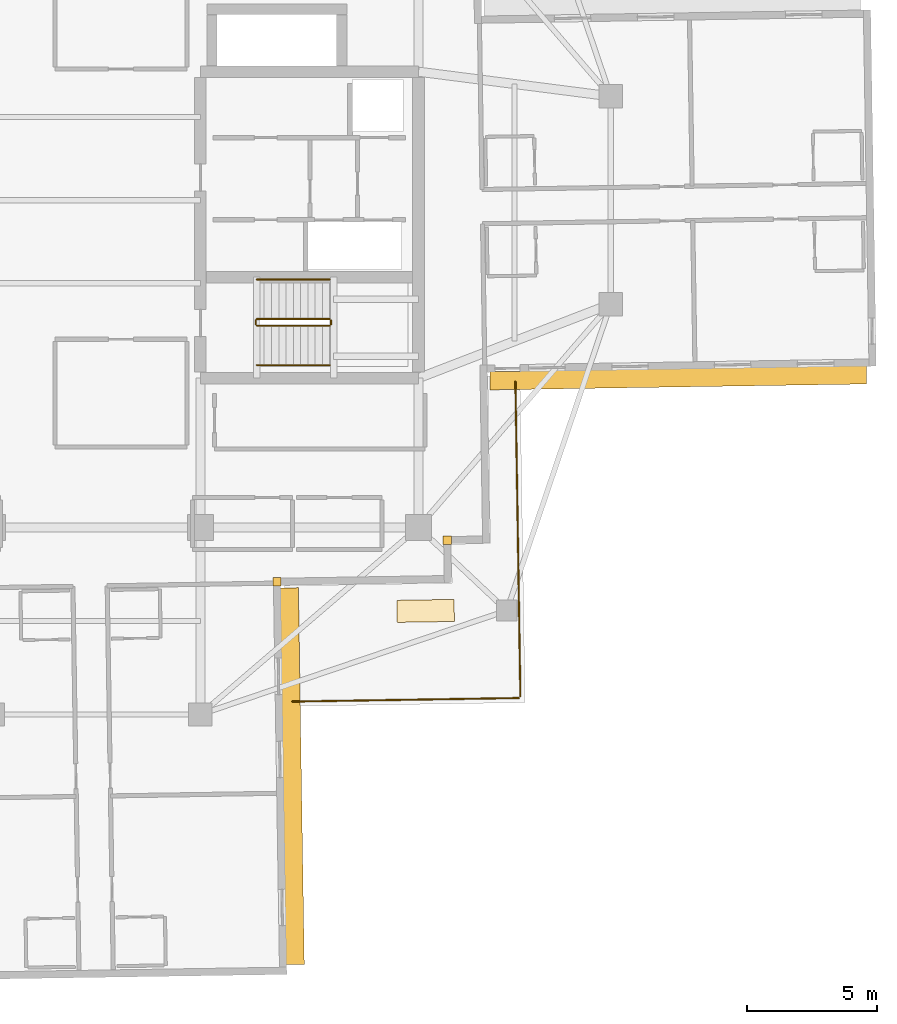
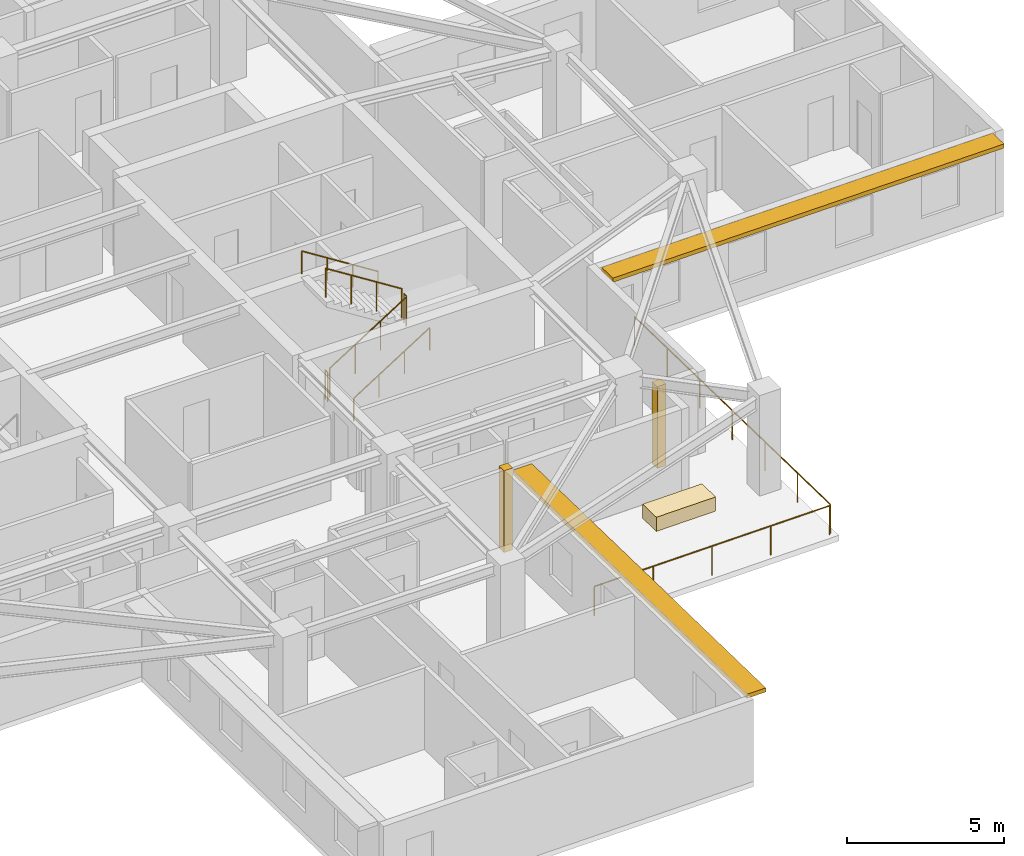
# One storey, part 11 of 13: 8 railings, 3 coverings, 2 shading devices.
"""IFC4 building model written with IfcOpenShell, lengths in metres."""

from ifc_helpers import new_model, si_unit, direction, frame, origin, origin_2d, place, context, subcontext, project, spatial, rectangle, circle, extrude, material, layer, layer_set, type_object, element, save


model = new_model("IFC4")

# Units and contexts
model_context = context("Model", 3, precision=1e-05, world=origin(), true_north=direction((0.0, 1.0)))
body_context = subcontext(model_context, "Body", "Model", "MODEL_VIEW")
ifc_project = project(units=[si_unit("LENGTHUNIT", "METRE"), si_unit("AREAUNIT", "SQUARE_METRE"), si_unit("VOLUMEUNIT", "CUBIC_METRE"), si_unit("PLANEANGLEUNIT", "RADIAN"), si_unit("MASSUNIT", "GRAM", prefix="KILO")], contexts=[model_context])

# Site, building, storey
site_placement = place(None, origin())
site = spatial("IfcSite", under=ifc_project, at=site_placement, CompositionType="ELEMENT")
building_placement = place(site_placement, origin())
building = spatial("IfcBuilding", under=site, at=building_placement, Name="Qingluan Cross Belvedere", CompositionType="ELEMENT")
storey_placement = place(building_placement, frame((0.0, 0.0, 220.800048828125)))
storey = spatial("IfcBuildingStorey", under=building, at=storey_placement, Name="L55", CompositionType="ELEMENT", Elevation=220.800048828125)

# Coverings
ifc_material_1 = material(Name="Precast concrete C45", Category="concrete")
ifc_layer_1 = layer(ifc_material_1, 0.1201171875, Name="ConcreteSpandrelCladding_120")
ifc_layer_set_1 = layer_set([ifc_layer_1], Name="Precast concrete C45")
covering_type_1 = type_object("IfcCoveringType", Name="ConcreteSpandrelCladding_120", PredefinedType="CLADDING", material=ifc_layer_set_1)
for number, where, z_axis, x_axis, name in (
    (1, (13.50732421875, -13.089599609375, 0.0), (0.0, 0.0, 1.0), (0.999876632482, 0.015707317312, 0.0), "Corner closure L55-SE1"),
    (2, (6.95166015625, -14.692626953125, 0.0), (0.0, 0.0, 1.0), (0.999876632482, 0.015707317312, 0.0), "Corner closure L55-SE2"),
):
    element("IfcCovering", number, at=place(storey_placement, frame(where, z_axis=z_axis, x_axis=x_axis)), inside=storey, type_object=covering_type_1, Name=name, PredefinedType="CLADDING", context=body_context, shape_type="SweptSolid", body=[
        extrude(rectangle(XDim=0.320068359375, YDim=0.320068359375, at=origin_2d()), origin(), (0.0, 0.0, 1.0), 3.179931640625),
    ])

# Shading devices
ifc_material_2 = material(Name="Precast concrete C45", Category="concrete")
ifc_layer_2 = layer(ifc_material_2, 0.139892578125, Name="ConcreteSunshadeBand_700")
ifc_layer_set_2 = layer_set([ifc_layer_2], Name="Precast concrete C45")
shading_device_type = type_object("IfcShadingDeviceType", Name="ConcreteSunshadeBand_700", PredefinedType="USERDEFINED", material=ifc_layer_set_2)
for number, where, z_axis, x_axis, name in (
    (3, (22.400146484375, -6.839111328125, 3.0), (0.0, 0.0, 1.0), (0.999876630106, 0.015707468526, 0.0), "Concrete SUNSHADE L55-EA"),
    (4, (7.539306640625, -22.17431640625, 3.0), (0.0, 0.0, 1.0), (-0.015707468526, 0.999876630106, 0.0), "Concrete SUNSHADE L55-SB"),
):
    element("IfcShadingDevice", number, at=place(storey_placement, frame(where, z_axis=z_axis, x_axis=x_axis)), inside=storey, type_object=shading_device_type, Name=name, ObjectType="SUNSHADE", PredefinedType="USERDEFINED", context=body_context, shape_type="SweptSolid", body=[
        extrude(rectangle(XDim=14.5, YDim=0.699951171875, at=origin_2d()), origin(), (0.0, 0.0, 1.0), 0.159912109375),
    ])

# Railings
ifc_material_3 = material(Name="Brushed stainless steel tubular handrail", Category="steel")
railing_type_1 = type_object("IfcRailingType", Name="StairPitchHandrail_900", PredefinedType="HANDRAIL", material=ifc_material_3)
railing_1_placement = place(storey_placement, frame((6.179931640625, -6.35009765625, 0.17724609375)))
element("IfcRailing", 5, at=railing_1_placement, inside=storey, type_object=railing_type_1, Name="L55 ST2 stair handrail 1", PredefinedType="HANDRAIL", context=body_context, shape_type="SweptSolid", body=[
    extrude(circle(Radius=0.02392578125, at=origin_2d()), frame((0.0, 0.0, 0.8759765625), z_axis=(0.844908973607, 0.0, 0.534910110503), x_axis=(0.0, 1.0, 0.0)), (0.0, 0.0, 1.0), 3.31396484375),
    extrude(circle(Radius=0.02099609375, at=origin_2d()), origin(), (0.0, 0.0, 1.0), 0.851806640625),
    extrude(circle(Radius=0.02099609375, at=origin_2d()), frame((0.933349609375, 0.0, 0.5908203125)), (0.0, 0.0, 1.0), 0.851806640625),
    extrude(circle(Radius=0.02099609375, at=origin_2d()), frame((1.86669921875, 0.0, 1.181884765625)), (0.0, 0.0, 1.0), 0.851806640625),
    extrude(circle(Radius=0.02099609375, at=origin_2d()), frame((2.800048828125, 0.0, 1.772705078125)), (0.0, 0.0, 1.0), 0.851806640625),
])
railing_2_placement = place(storey_placement, frame((8.97998046875, -3.050048828125, 2.127197265625)))
element("IfcRailing", 6, at=railing_2_placement, inside=storey, type_object=railing_type_1, Name="L55 ST2 stair handrail 2", PredefinedType="HANDRAIL", context=body_context, shape_type="SweptSolid", body=[
    extrude(circle(Radius=0.02392578125, at=origin_2d()), frame((0.0, 0.0, 0.8759765625), z_axis=(-0.844908973607, 0.0, 0.534910110503), x_axis=(0.0, -1.0, 0.0)), (0.0, 0.0, 1.0), 3.31396484375),
    extrude(circle(Radius=0.02099609375, at=origin_2d()), origin(), (0.0, 0.0, 1.0), 0.851806640625),
    extrude(circle(Radius=0.02099609375, at=origin_2d()), frame((-0.933349609375, 0.0, 0.5908203125)), (0.0, 0.0, 1.0), 0.851806640625),
    extrude(circle(Radius=0.02099609375, at=origin_2d()), frame((-1.86669921875, 0.0, 1.181884765625)), (0.0, 0.0, 1.0), 0.851806640625),
    extrude(circle(Radius=0.02099609375, at=origin_2d()), frame((-2.800048828125, 0.0, 1.772705078125)), (0.0, 0.0, 1.0), 0.851806640625),
])
ifc_material_4 = material(Name="Painted steel stair well guard", Category="steel")
railing_type_2 = type_object("IfcRailingType", Name="StairWellGuard_1150", PredefinedType="BALUSTRADE", material=ifc_material_4)
railing_3_placement = place(storey_placement, frame((6.179931640625, -4.830078125, 0.17724609375)))
element("IfcRailing", 7, at=railing_3_placement, inside=storey, type_object=railing_type_2, Name="L55 ST2 stair guard 1", PredefinedType="BALUSTRADE", context=body_context, shape_type="SweptSolid", body=[
    extrude(circle(Radius=0.02392578125, at=origin_2d()), frame((0.0, 0.0, 1.1259765625), z_axis=(0.844908973607, 0.0, 0.534910110503), x_axis=(0.0, 1.0, 0.0)), (0.0, 0.0, 1.0), 3.31396484375),
    extrude(circle(Radius=0.02099609375, at=origin_2d()), origin(), (0.0, 0.0, 1.0), 1.101806640625),
    extrude(circle(Radius=0.02099609375, at=origin_2d()), frame((0.933349609375, 0.0, 0.5908203125)), (0.0, 0.0, 1.0), 1.101806640625),
    extrude(circle(Radius=0.02099609375, at=origin_2d()), frame((1.86669921875, 0.0, 1.181884765625)), (0.0, 0.0, 1.0), 1.101806640625),
    extrude(circle(Radius=0.02099609375, at=origin_2d()), frame((2.800048828125, 0.0, 1.772705078125)), (0.0, 0.0, 1.0), 1.101806640625),
])
railing_4_placement = place(storey_placement, frame((9.030029296875, -4.780029296875, 1.949951171875)))
element("IfcRailing", 8, at=railing_4_placement, inside=storey, type_object=railing_type_2, Name="L55 ST2 stair guard 2", PredefinedType="BALUSTRADE", context=body_context, shape_type="SweptSolid", body=[
    extrude(circle(Radius=0.02392578125, at=origin_2d()), frame((0.0, 0.0, 1.1259765625), z_axis=(0.0, 1.0, 0.0), x_axis=(-1.0, 0.0, 0.0)), (0.0, 0.0, 1.0), 0.159912109375),
    extrude(circle(Radius=0.02099609375, at=origin_2d()), origin(), (0.0, 0.0, 1.0), 1.101806640625),
    extrude(circle(Radius=0.02099609375, at=origin_2d()), frame((0.0, 0.159912109375, 0.0)), (0.0, 0.0, 1.0), 1.101806640625),
])
railing_5_placement = place(storey_placement, frame((8.97998046875, -4.570068359375, 2.127197265625)))
element("IfcRailing", 9, at=railing_5_placement, inside=storey, type_object=railing_type_2, Name="L55 ST2 stair guard 3", PredefinedType="BALUSTRADE", context=body_context, shape_type="SweptSolid", body=[
    extrude(circle(Radius=0.02392578125, at=origin_2d()), frame((0.0, 0.0, 1.1259765625), z_axis=(-0.844908973607, 0.0, 0.534910110503), x_axis=(0.0, -1.0, 0.0)), (0.0, 0.0, 1.0), 3.31396484375),
    extrude(circle(Radius=0.02099609375, at=origin_2d()), origin(), (0.0, 0.0, 1.0), 1.101806640625),
    extrude(circle(Radius=0.02099609375, at=origin_2d()), frame((-0.933349609375, 0.0, 0.5908203125)), (0.0, 0.0, 1.0), 1.101806640625),
    extrude(circle(Radius=0.02099609375, at=origin_2d()), frame((-1.86669921875, 0.0, 1.181884765625)), (0.0, 0.0, 1.0), 1.101806640625),
    extrude(circle(Radius=0.02099609375, at=origin_2d()), frame((-2.800048828125, 0.0, 1.772705078125)), (0.0, 0.0, 1.0), 1.101806640625),
])
railing_6_placement = place(storey_placement, frame((6.1298828125, -4.780029296875, 0.0)))
element("IfcRailing", 10, at=railing_6_placement, inside=storey, type_object=railing_type_2, Name="L55 ST2 stair guard 4", PredefinedType="BALUSTRADE", context=body_context, shape_type="SweptSolid", body=[
    extrude(circle(Radius=0.02392578125, at=origin_2d()), frame((0.0, 0.0, 1.1259765625), z_axis=(0.0, 1.0, 0.0), x_axis=(-1.0, 0.0, 0.0)), (0.0, 0.0, 1.0), 0.159912109375),
    extrude(circle(Radius=0.02099609375, at=origin_2d()), origin(), (0.0, 0.0, 1.0), 1.101806640625),
    extrude(circle(Radius=0.02099609375, at=origin_2d()), frame((0.0, 0.159912109375, 0.0)), (0.0, 0.0, 1.0), 1.101806640625),
])
ifc_material_5 = material(Name="Laminated glass and stainless steel balustrade", Category="steel")
railing_type_3 = type_object("IfcRailingType", Name="TerraceGuardBalustrade_1150", PredefinedType="BALUSTRADE", material=ifc_material_5)
railing_7_placement = place(storey_placement, frame((16.1318359375, -6.987548828125, 0.0)))
element("IfcRailing", 11, at=railing_7_placement, inside=storey, type_object=railing_type_3, Name="Terrace guard L55-1", PredefinedType="BALUSTRADE", context=body_context, shape_type="SweptSolid", body=[
    extrude(circle(Radius=0.02392578125, at=origin_2d()), frame((0.0, 0.0, 1.1259765625), z_axis=(0.015712144452, -0.999876556639, 0.0), x_axis=(0.999876556639, 0.015712144452, 0.0)), (0.0, 0.0, 1.0), 12.119873046875),
    extrude(circle(Radius=0.02099609375, at=origin_2d()), origin(), (0.0, 0.0, 1.0), 1.101806640625),
    extrude(circle(Radius=0.02099609375, at=origin_2d()), frame((0.03173828125, -2.019775390625, 0.0)), (0.0, 0.0, 1.0), 1.101806640625),
    extrude(circle(Radius=0.02099609375, at=origin_2d()), frame((0.0634765625, -4.03955078125, 0.0)), (0.0, 0.0, 1.0), 1.101806640625),
    extrude(circle(Radius=0.02099609375, at=origin_2d()), frame((0.09521484375, -6.05908203125, 0.0)), (0.0, 0.0, 1.0), 1.101806640625),
    extrude(circle(Radius=0.02099609375, at=origin_2d()), frame((0.126953125, -8.078857421875, 0.0)), (0.0, 0.0, 1.0), 1.101806640625),
    extrude(circle(Radius=0.02099609375, at=origin_2d()), frame((0.15869140625, -10.0986328125, 0.0)), (0.0, 0.0, 1.0), 1.101806640625),
    extrude(circle(Radius=0.02099609375, at=origin_2d()), frame((0.1904296875, -12.118408203125, 0.0)), (0.0, 0.0, 1.0), 1.101806640625),
])
railing_8_placement = place(storey_placement, frame((16.26318359375, -19.1669921875, 0.0)))
element("IfcRailing", 12, at=railing_8_placement, inside=storey, type_object=railing_type_3, Name="Terrace guard L55-2", PredefinedType="BALUSTRADE", context=body_context, shape_type="SweptSolid", body=[
    extrude(circle(Radius=0.02392578125, at=origin_2d()), frame((0.0, 0.0, 1.1259765625), z_axis=(-0.999876643314, -0.015706627752, 0.0), x_axis=(0.015706627752, -0.999876643314, 0.0)), (0.0, 0.0, 1.0), 8.719970703125),
    extrude(circle(Radius=0.02099609375, at=origin_2d()), origin(), (0.0, 0.0, 1.0), 1.101806640625),
    extrude(circle(Radius=0.02099609375, at=origin_2d()), frame((-2.1796875, -0.0341796875, 0.0)), (0.0, 0.0, 1.0), 1.101806640625),
    extrude(circle(Radius=0.02099609375, at=origin_2d()), frame((-4.359375, -0.068359375, 0.0)), (0.0, 0.0, 1.0), 1.101806640625),
    extrude(circle(Radius=0.02099609375, at=origin_2d()), frame((-6.539306640625, -0.102783203125, 0.0)), (0.0, 0.0, 1.0), 1.101806640625),
    extrude(circle(Radius=0.02099609375, at=origin_2d()), frame((-8.718994140625, -0.136962890625, 0.0)), (0.0, 0.0, 1.0), 1.101806640625),
])

# Covering
ifc_material_6 = material(Name="Precast concrete C40", Category="concrete")
ifc_layer_3 = layer(ifc_material_6, 0.550048828125, Name="TerracePlanterBox")
ifc_layer_set_3 = layer_set([ifc_layer_3], Name="Precast concrete C40")
covering_type_2 = type_object("IfcCoveringType", Name="TerracePlanterBox", PredefinedType="USERDEFINED", material=ifc_layer_set_3)
covering_placement = place(storey_placement, frame((12.675048828125, -15.81201171875, 0.0), z_axis=(0.0, 0.0, 1.0), x_axis=(0.999876632482, 0.015707317312, 0.0)))
element("IfcCovering", 13, at=covering_placement, inside=storey, type_object=covering_type_2, Name="Spiralling winter-garden planter L55", ObjectType="PLANTER", PredefinedType="USERDEFINED", context=body_context, shape_type="SweptSolid", body=[
    extrude(rectangle(XDim=2.199951171875, YDim=0.85009765625, at=origin_2d()), origin(), (0.0, 0.0, 1.0), 0.550048828125),
])

save(model, "model.ifc")
